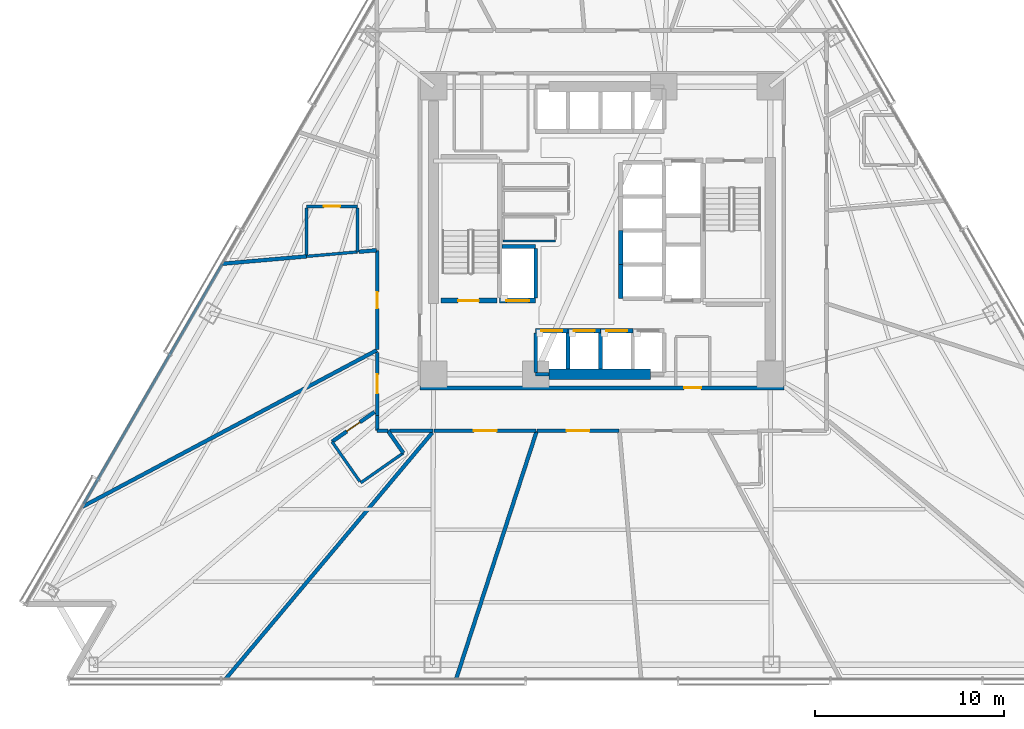
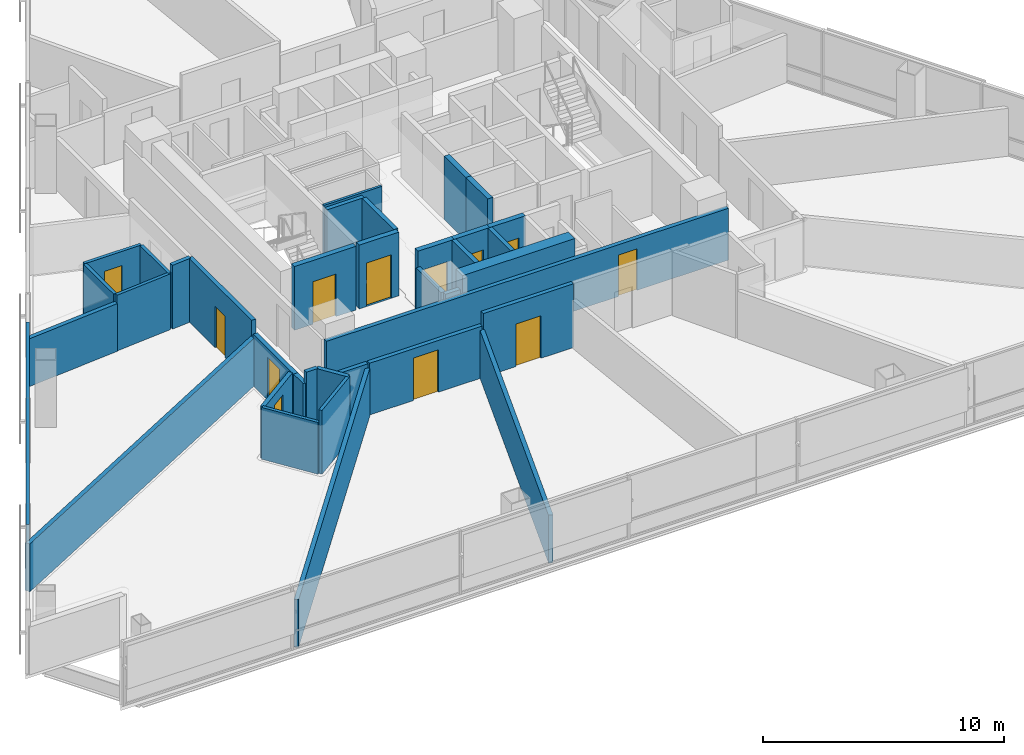
# One storey, part 7 of 18: 37 walls, 12 doors, 12 openings.
"""IFC4 building model written with IfcOpenShell, lengths in metres."""

from ifc_helpers import new_model, si_unit, direction, frame, frame_2d, origin, place, context, subcontext, project, spatial, rectangle, extrude, material, layer, layer_set, type_object, element, fill, save


model = new_model("IFC4")

# Units and contexts
model_context = context("Model", 3, precision=1e-05, world=origin(), true_north=direction((0.0, 1.0)))
body_context = subcontext(model_context, "Body", "Model", "MODEL_VIEW")
ifc_project = project(units=[si_unit("LENGTHUNIT", "METRE"), si_unit("AREAUNIT", "SQUARE_METRE"), si_unit("VOLUMEUNIT", "CUBIC_METRE"), si_unit("PLANEANGLEUNIT", "RADIAN"), si_unit("MASSUNIT", "GRAM", prefix="KILO")], contexts=[model_context])

# Site, building, storey
site_placement = place(None, origin())
site = spatial("IfcSite", under=ifc_project, at=site_placement, CompositionType="ELEMENT")
building_placement = place(site_placement, origin())
building = spatial("IfcBuilding", under=site, at=building_placement, Name="Tharavind Bronze Gate", CompositionType="ELEMENT")
storey_placement = place(building_placement, frame((0.0, 0.0, 38.64990234375)))
storey = spatial("IfcBuildingStorey", under=building, at=storey_placement, Name="L08", CompositionType="ELEMENT", Elevation=38.64990234375)

# Wall, opening, door
ifc_material_1 = material(Name="Aerated Concrete Block", Category="concrete")
ifc_layer_1 = layer(ifc_material_1, 0.199951171875)
ifc_layer_set_1 = layer_set([ifc_layer_1], Name="Aerated Concrete Block")
wall_type_1 = type_object("IfcWallType", Name="FIRE RATED PARTITION 200", PredefinedType="PARTITIONING", material=ifc_layer_set_1)
wall_1_placement = place(storey_placement, frame((-9.6201171875, -8.320068359375, 0.0), z_axis=(0.0, 0.0, 1.0), x_axis=(1.0, 0.0, 0.0)))
wall_1 = element("IfcWall", 1, at=wall_1_placement, inside=storey, type_object=wall_type_1, Name="L08 south core corridor wall", PredefinedType="PARTITIONING", context=body_context, shape_type="SweptSolid", body=[
    extrude(rectangle(XDim=19.240234375, YDim=0.199951171875, at=frame_2d((9.6201171875, 0.0))), origin(), (0.0, 0.0, 1.0), 2.6201171875),
])
opening_1_placement = place(wall_1_placement, frame((13.969970703125, 0.0, 0.0)))
opening_1 = element("IfcOpeningElement", 2, at=opening_1_placement, cuts=wall_1, Name="Opening ID07", PredefinedType="OPENING", context=body_context, shape_type="SweptSolid", body=[
    extrude(rectangle(XDim=0.89990234375, YDim=2.10009765625, at=frame_2d((0.449951171875, 1.050048828125))), frame((0.0, 0.11009765625, 0.0), z_axis=(0.0, -1.0, 0.0), x_axis=(1.0, 0.0, 0.0)), (0.0, 0.0, 1.0), 0.219951171875),
])
ifc_material_2 = material(Name="Galvanised Fire Steel", Category="steel")
door_type_1 = type_object("IfcDoorType", Name="PLANT AND RISER FIRE DOOR 900X2100", OperationType="SINGLE_SWING_LEFT", PredefinedType="DOOR", material=ifc_material_2)
door_1_placement = place(opening_1_placement, frame((0.89990234375, 0.0, 0.0), z_axis=(0.0, 0.0, 1.0), x_axis=(-1.0, 0.0, 0.0)))
door_1 = element("IfcDoor", 3, at=door_1_placement, inside=storey, type_object=door_type_1, Name="L08 Janitor Store Cupboard fire door", OperationType="SINGLE_SWING_LEFT", OverallHeight=2.10009765625, OverallWidth=0.89990234375, PredefinedType="DOOR", context=body_context, shape_type="SweptSolid", body=[
    extrude(rectangle(XDim=0.89990234375, YDim=2.10009765625, at=frame_2d((0.449951171875, 1.050048828125))), frame((0.0, 0.02490234375, 0.0), z_axis=(0.0, -1.0, 0.0), x_axis=(1.0, 0.0, 0.0)), (0.0, 0.0, 1.0), 0.050048828125),
])
fill(opening_1, door_1)

# Walls
wall_2_placement = place(storey_placement, frame((-11.8798828125, -9.779541015625, 0.0), z_axis=(0.0, 0.0, 1.0), x_axis=(0.0, -1.0, 0.0)))
element("IfcWall", 4, at=wall_2_placement, inside=storey, type_object=wall_type_1, Name="L08 En-Suite Bathroom partition", PredefinedType="PARTITIONING", context=body_context, shape_type="SweptSolid", body=[
    extrude(rectangle(XDim=0.7998046875, YDim=0.199951171875, at=frame_2d((0.39990234375, 0.0))), origin(), (0.0, 0.0, 1.0), 2.6201171875),
])
wall_3_placement = place(storey_placement, frame((-11.87939453125, -10.580078125, 0.0), z_axis=(0.0, 0.0, 1.0), x_axis=(1.0, 0.0, 0.0)))
element("IfcWall", 5, at=wall_3_placement, inside=storey, type_object=wall_type_1, Name="L08 En-Suite Bathroom partition", PredefinedType="PARTITIONING", context=body_context, shape_type="SweptSolid", body=[
    extrude(rectangle(XDim=0.559326171875, YDim=0.199951171875, at=frame_2d((0.27978515625, 0.0))), origin(), (0.0, 0.0, 1.0), 3.22509765625),
])
wall_4_placement = place(storey_placement, frame((-11.320068359375, -10.580078125, 0.0), z_axis=(0.0, 0.0, 1.0), x_axis=(0.573177949093, -0.819430923674, 0.0)))
element("IfcWall", 6, at=wall_4_placement, inside=storey, type_object=wall_type_1, Name="L08 En-Suite Bathroom partition", PredefinedType="PARTITIONING", context=body_context, shape_type="SweptSolid", body=[
    extrude(rectangle(XDim=1.4404296875, YDim=0.199951171875, at=frame_2d((0.72021484375, 0.0))), origin(), (0.0, 0.0, 1.0), 3.22509765625),
])

# Wall, opening, door
wall_5_placement = place(storey_placement, frame((-14.2666015625, -11.165283203125, 0.0), z_axis=(0.0, 0.0, 1.0), x_axis=(0.81944041023, 0.573164386614, 0.0)))
wall_5 = element("IfcWall", 7, at=wall_5_placement, inside=storey, type_object=wall_type_1, Name="L08 En-Suite Bathroom partition", PredefinedType="PARTITIONING", context=body_context, shape_type="SweptSolid", body=[
    extrude(rectangle(XDim=2.75, YDim=0.199951171875, at=frame_2d((1.375, 0.0))), origin(), (0.0, 0.0, 1.0), 2.6201171875),
])
opening_2_placement = place(wall_5_placement, frame((0.949951171875, 0.0, 0.0)))
opening_2 = element("IfcOpeningElement", 8, at=opening_2_placement, cuts=wall_5, Name="Opening ID06", PredefinedType="OPENING", context=body_context, shape_type="SweptSolid", body=[
    extrude(rectangle(XDim=0.85009765625, YDim=2.10009765625, at=frame_2d((0.425048828125, 1.050048828125))), frame((0.0, 0.11009765625, 0.0), z_axis=(0.0, -1.0, 0.0), x_axis=(1.0, 0.0, 0.0)), (0.0, 0.0, 1.0), 0.219951171875),
])
ifc_material_3 = material(Name="Moisture-Resistant Timber", Category="wood")
door_type_2 = type_object("IfcDoorType", Name="BATHROOM PRIVACY DOOR 850X2100", OperationType="SINGLE_SWING_RIGHT", PredefinedType="DOOR", material=ifc_material_3)
door_2_placement = place(opening_2_placement, origin())
door_2 = element("IfcDoor", 9, at=door_2_placement, inside=storey, type_object=door_type_2, Name="L08 En-Suite Bathroom door", OperationType="SINGLE_SWING_RIGHT", OverallHeight=2.10009765625, OverallWidth=0.85009765625, PredefinedType="DOOR", context=body_context, shape_type="SweptSolid", body=[
    extrude(rectangle(XDim=0.85009765625, YDim=2.10009765625, at=frame_2d((0.425048828125, 1.050048828125))), frame((0.0, 0.02490234375, 0.0), z_axis=(0.0, -1.0, 0.0), x_axis=(1.0, 0.0, 0.0)), (0.0, 0.0, 1.0), 0.050048828125),
])
fill(opening_2, door_2)

# Walls
wall_6_placement = place(storey_placement, frame((-20.05322265625, -1.75439453125, 0.0), z_axis=(0.0, 0.0, 1.0), x_axis=(0.99619520471, 0.087149951884, 0.0)))
element("IfcWall", 10, at=wall_6_placement, inside=storey, type_object=wall_type_1, Name="L08 Public Restrooms Block partition", PredefinedType="PARTITIONING", context=body_context, shape_type="SweptSolid", body=[
    extrude(rectangle(XDim=4.4541015625, YDim=0.199951171875, at=frame_2d((2.22705078125, 0.0))), origin(), (0.0, 0.0, 1.0), 2.420166015625),
])
wall_7_placement = place(storey_placement, frame((-12.8359375, -1.123046875, 0.0), z_axis=(0.0, 0.0, 1.0), x_axis=(0.996190305678, 0.087205933699, 0.0)))
element("IfcWall", 11, at=wall_7_placement, inside=storey, type_object=wall_type_1, Name="L08 Public Restrooms Block partition", PredefinedType="PARTITIONING", context=body_context, shape_type="SweptSolid", body=[
    extrude(rectangle(XDim=0.932373046875, YDim=0.199951171875, at=frame_2d((0.46630859375, 0.0))), origin(), (0.0, 0.0, 1.0), 3.22509765625),
])

# Wall, opening, door
wall_8_placement = place(storey_placement, frame((-11.8798828125, -1.066650390625, 0.0), z_axis=(0.0, 0.0, 1.0), x_axis=(0.0, -1.0, 0.0)))
wall_8 = element("IfcWall", 12, at=wall_8_placement, inside=storey, type_object=wall_type_1, Name="L08 Public Restrooms Block partition", PredefinedType="PARTITIONING", context=body_context, shape_type="SweptSolid", body=[
    extrude(rectangle(XDim=5.235107421875, YDim=0.199951171875, at=frame_2d((2.61767578125, 0.0))), origin(), (0.0, 0.0, 1.0), 3.22509765625),
])
opening_3_placement = place(wall_8_placement, frame((2.193115234375, 0.0, 0.0)))
opening_3 = element("IfcOpeningElement", 13, at=opening_3_placement, cuts=wall_8, Name="Opening ID06", PredefinedType="OPENING", context=body_context, shape_type="SweptSolid", body=[
    extrude(rectangle(XDim=0.85009765625, YDim=2.10009765625, at=frame_2d((0.425048828125, 1.050048828125))), frame((0.0, 0.11009765625, 0.0), z_axis=(0.0, -1.0, 0.0), x_axis=(1.0, 0.0, 0.0)), (0.0, 0.0, 1.0), 0.219951171875),
])
door_3_placement = place(opening_3_placement, origin())
door_3 = element("IfcDoor", 14, at=door_3_placement, inside=storey, type_object=door_type_2, Name="L08 Public Restrooms Block door", OperationType="SINGLE_SWING_RIGHT", OverallHeight=2.10009765625, OverallWidth=0.85009765625, PredefinedType="DOOR", context=body_context, shape_type="SweptSolid", body=[
    extrude(rectangle(XDim=0.85009765625, YDim=2.10009765625, at=frame_2d((0.425048828125, 1.050048828125))), frame((0.0, 0.02490234375, 0.0), z_axis=(0.0, -1.0, 0.0), x_axis=(1.0, 0.0, 0.0)), (0.0, 0.0, 1.0), 0.050048828125),
])
fill(opening_3, door_3)

# Wall
wall_9_placement = place(storey_placement, frame((-11.893310546875, -6.32373046875, 0.0), z_axis=(0.0, 0.0, 1.0), x_axis=(-0.882944790092, -0.469476833985, 0.0)))
element("IfcWall", 15, at=wall_9_placement, inside=storey, type_object=wall_type_1, Name="L08 Public Restrooms Block partition", PredefinedType="PARTITIONING", context=body_context, shape_type="SweptSolid", body=[
    extrude(rectangle(XDim=17.6669921875, YDim=0.199951171875, at=frame_2d((8.83349609375, 0.0))), origin(), (0.0, 0.0, 1.0), 2.420166015625),
])

# Wall, opening, door
wall_10_placement = place(storey_placement, frame((-11.8798828125, -6.435546875, 0.0), z_axis=(0.0, 0.0, 1.0), x_axis=(0.0, -1.0, 0.0)))
wall_10 = element("IfcWall", 16, at=wall_10_placement, inside=storey, type_object=wall_type_1, Name="L08 Deluxe Hotel Suite partition", PredefinedType="PARTITIONING", context=body_context, shape_type="SweptSolid", body=[
    extrude(rectangle(XDim=3.343994140625, YDim=0.199951171875, at=frame_2d((1.671875, 0.0))), origin(), (0.0, 0.0, 1.0), 2.6201171875),
])
opening_4_placement = place(wall_10_placement, frame((1.172119140625, 0.0, 0.0)))
opening_4 = element("IfcOpeningElement", 17, at=opening_4_placement, cuts=wall_10, Name="Opening ID03", PredefinedType="OPENING", context=body_context, shape_type="SweptSolid", body=[
    extrude(rectangle(XDim=1.0, YDim=2.14990234375, at=frame_2d((0.5, 1.074951171875))), frame((0.0, 0.11009765625, 0.0), z_axis=(0.0, -1.0, 0.0), x_axis=(1.0, 0.0, 0.0)), (0.0, 0.0, 1.0), 0.219951171875),
])
ifc_material_4 = material(Name="Solid Timber Veneer", Category="wood")
door_type_3 = type_object("IfcDoorType", Name="HOTEL SUITE ENTRANCE DOOR 1000X2150", OperationType="SINGLE_SWING_LEFT", PredefinedType="DOOR", material=ifc_material_4)
door_4_placement = place(opening_4_placement, origin())
door_4 = element("IfcDoor", 18, at=door_4_placement, inside=storey, type_object=door_type_3, Name="L08 Deluxe Hotel Suite door", OperationType="SINGLE_SWING_LEFT", OverallHeight=2.14990234375, OverallWidth=1.0, PredefinedType="DOOR", context=body_context, shape_type="SweptSolid", body=[
    extrude(rectangle(XDim=1.0, YDim=2.14990234375, at=frame_2d((0.5, 1.074951171875))), frame((0.0, 0.02490234375, 0.0), z_axis=(0.0, -1.0, 0.0), x_axis=(1.0, 0.0, 0.0)), (0.0, 0.0, 1.0), 0.050048828125),
])
fill(opening_4, door_4)

# Walls
wall_11_placement = place(storey_placement, frame((-11.19189453125, -10.580078125, 0.0), z_axis=(0.0, 0.0, 1.0), x_axis=(1.0, 0.0, 0.0)))
element("IfcWall", 19, at=wall_11_placement, inside=storey, type_object=wall_type_1, Name="L08 Deluxe Hotel Suite partition", PredefinedType="PARTITIONING", context=body_context, shape_type="SweptSolid", body=[
    extrude(rectangle(XDim=2.260498046875, YDim=0.199951171875, at=frame_2d((1.13037109375, 0.0))), origin(), (0.0, 0.0, 1.0), 2.6201171875),
])
wall_12_placement = place(storey_placement, frame((-8.9658203125, -10.68505859375, 0.0), z_axis=(0.0, 0.0, 1.0), x_axis=(-0.642784617016, -0.766046954258, 0.0)))
element("IfcWall", 20, at=wall_12_placement, inside=storey, type_object=wall_type_1, Name="L08 Deluxe Hotel Suite partition", PredefinedType="PARTITIONING", context=body_context, shape_type="SweptSolid", body=[
    extrude(rectangle(XDim=16.978271484375, YDim=0.199951171875, at=frame_2d((8.4892578125, 0.0))), origin(), (0.0, 0.0, 1.0), 2.420166015625),
])

# Wall, opening, door
wall_13_placement = place(storey_placement, frame((-8.865966796875, -10.580078125, 0.0), z_axis=(0.0, 0.0, 1.0), x_axis=(1.0, 0.0, 0.0)))
wall_13 = element("IfcWall", 21, at=wall_13_placement, inside=storey, type_object=wall_type_1, Name="L08 Hotel Guest Lounge partition", PredefinedType="PARTITIONING", context=body_context, shape_type="SweptSolid", body=[
    extrude(rectangle(XDim=5.393798828125, YDim=0.199951171875, at=frame_2d((2.69677734375, 0.0))), origin(), (0.0, 0.0, 1.0), 2.6201171875),
])
opening_5_placement = place(wall_13_placement, frame((2.096923828125, 0.0, 0.0)))
opening_5 = element("IfcOpeningElement", 22, at=opening_5_placement, cuts=wall_13, Name="Opening ID05", PredefinedType="OPENING", context=body_context, shape_type="SweptSolid", body=[
    extrude(rectangle(XDim=1.199951171875, YDim=2.14990234375, at=frame_2d((0.60009765625, 1.074951171875))), frame((0.0, 0.11009765625, 0.0), z_axis=(0.0, -1.0, 0.0), x_axis=(1.0, 0.0, 0.0)), (0.0, 0.0, 1.0), 0.219951171875),
])
ifc_material_5 = material(Name="Acoustic Laminated Glass", Category="glass")
door_type_4 = type_object("IfcDoorType", Name="MEETING ROOM GLAZED DOOR 1200X2150", OperationType="SINGLE_SWING_LEFT", PredefinedType="DOOR", material=ifc_material_5)
door_5_placement = place(opening_5_placement, origin())
door_5 = element("IfcDoor", 23, at=door_5_placement, inside=storey, type_object=door_type_4, Name="L08 Hotel Guest Lounge door", OperationType="SINGLE_SWING_LEFT", OverallHeight=2.14990234375, OverallWidth=1.199951171875, PredefinedType="DOOR", context=body_context, shape_type="SweptSolid", body=[
    extrude(rectangle(XDim=1.199951171875, YDim=2.14990234375, at=frame_2d((0.60009765625, 1.074951171875))), frame((0.0, 0.02490234375, 0.0), z_axis=(0.0, -1.0, 0.0), x_axis=(1.0, 0.0, 0.0)), (0.0, 0.0, 1.0), 0.050048828125),
])
fill(opening_5, door_5)

# Wall
wall_14_placement = place(storey_placement, frame((-3.4482421875, -10.61279296875, 0.0), z_axis=(0.0, 0.0, 1.0), x_axis=(-0.309029029702, -0.951052605696, 0.0)))
element("IfcWall", 24, at=wall_14_placement, inside=storey, type_object=wall_type_1, Name="L08 Hotel Guest Lounge partition", PredefinedType="PARTITIONING", context=body_context, shape_type="SweptSolid", body=[
    extrude(rectangle(XDim=13.742431640625, YDim=0.199951171875, at=frame_2d((6.87109375, 0.0))), origin(), (0.0, 0.0, 1.0), 2.420166015625),
])

# Wall, opening, door
wall_15_placement = place(storey_placement, frame((-3.41943359375, -10.580078125, 0.0), z_axis=(0.0, 0.0, 1.0), x_axis=(1.0, 0.0, 0.0)))
wall_15 = element("IfcWall", 25, at=wall_15_placement, inside=storey, type_object=wall_type_1, Name="L08 Hotel Guest Lounge partition", PredefinedType="PARTITIONING", context=body_context, shape_type="SweptSolid", body=[
    extrude(rectangle(XDim=4.322021484375, YDim=0.199951171875, at=frame_2d((2.1611328125, 0.0))), origin(), (0.0, 0.0, 1.0), 3.22509765625),
])
opening_6_placement = place(wall_15_placement, frame((1.56103515625, 0.0, 0.0)))
opening_6 = element("IfcOpeningElement", 26, at=opening_6_placement, cuts=wall_15, Name="Opening ID05", PredefinedType="OPENING", context=body_context, shape_type="SweptSolid", body=[
    extrude(rectangle(XDim=1.199951171875, YDim=2.14990234375, at=frame_2d((0.60009765625, 1.074951171875))), frame((0.0, 0.11009765625, 0.0), z_axis=(0.0, -1.0, 0.0), x_axis=(1.0, 0.0, 0.0)), (0.0, 0.0, 1.0), 0.219951171875),
])
door_6_placement = place(opening_6_placement, origin())
door_6 = element("IfcDoor", 27, at=door_6_placement, inside=storey, type_object=door_type_4, Name="L08 Hotel Guest Lounge door", OperationType="SINGLE_SWING_LEFT", OverallHeight=2.14990234375, OverallWidth=1.199951171875, PredefinedType="DOOR", context=body_context, shape_type="SweptSolid", body=[
    extrude(rectangle(XDim=1.199951171875, YDim=2.14990234375, at=frame_2d((0.60009765625, 1.074951171875))), frame((0.0, 0.02490234375, 0.0), z_axis=(0.0, -1.0, 0.0), x_axis=(1.0, 0.0, 0.0)), (0.0, 0.0, 1.0), 0.050048828125),
])
fill(opening_6, door_6)

# Wall
ifc_material_6 = material(Name="Metal Stud Gypsum Partition", Category="gypsum")
ifc_layer_2 = layer(ifc_material_6, 0.1201171875)
ifc_layer_set_2 = layer_set([ifc_layer_2], Name="Metal Stud Gypsum Partition")
wall_type_2 = type_object("IfcWallType", Name="INTERIOR PARTITION WALL 120", PredefinedType="PARTITIONING", material=ifc_layer_set_2)
wall_16_placement = place(storey_placement, frame((-5.219970703125, -0.550048828125, 0.0), z_axis=(0.0, 0.0, 1.0), x_axis=(1.0, 0.0, 0.0)))
element("IfcWall", 28, at=wall_16_placement, inside=storey, type_object=wall_type_2, Name="L08 Electrical Metering Store partition 1", PredefinedType="PARTITIONING", context=body_context, shape_type="SweptSolid", body=[
    extrude(rectangle(XDim=2.77001953125, YDim=0.1201171875, at=frame_2d((1.385009765625, 0.0))), origin(), (0.0, 0.0, 1.0), 3.22509765625),
])

# Wall, opening, door
ifc_material_7 = material(Name="Twin Stud Acoustic Gypsum", Category="gypsum")
ifc_layer_3 = layer(ifc_material_7, 0.14990234375)
ifc_layer_set_3 = layer_set([ifc_layer_3], Name="Twin Stud Acoustic Gypsum")
wall_type_3 = type_object("IfcWallType", Name="INTERIOR PARTITION WALL 150", PredefinedType="PARTITIONING", material=ifc_layer_set_3)
wall_17_placement = place(storey_placement, frame((-15.615966796875, 1.278076171875, 0.0), z_axis=(0.0, 0.0, 1.0), x_axis=(1.0, 0.0, 0.0)))
wall_17 = element("IfcWall", 29, at=wall_17_placement, inside=storey, type_object=wall_type_3, Name="L08 En-Suite Bathroom partition", PredefinedType="PARTITIONING", context=body_context, shape_type="SweptSolid", body=[
    extrude(rectangle(XDim=2.699951171875, YDim=0.14990234375, at=frame_2d((1.35009765625, 0.0))), origin(), (0.0, 0.0, 1.0), 2.820068359375),
])
opening_7_placement = place(wall_17_placement, frame((0.925048828125, 0.0, 0.0)))
opening_7 = element("IfcOpeningElement", 30, at=opening_7_placement, cuts=wall_17, Name="Opening ID06", PredefinedType="OPENING", context=body_context, shape_type="SweptSolid", body=[
    extrude(rectangle(XDim=0.85009765625, YDim=2.10009765625, at=frame_2d((0.425048828125, 1.050048828125))), frame((0.0, 0.084951171875, 0.0), z_axis=(0.0, -1.0, 0.0), x_axis=(1.0, 0.0, 0.0)), (0.0, 0.0, 1.0), 0.16990234375),
])
door_7_placement = place(opening_7_placement, origin())
door_7 = element("IfcDoor", 31, at=door_7_placement, inside=storey, type_object=door_type_2, Name="L08 En-Suite Bathroom door", OperationType="SINGLE_SWING_RIGHT", OverallHeight=2.10009765625, OverallWidth=0.85009765625, PredefinedType="DOOR", context=body_context, shape_type="SweptSolid", body=[
    extrude(rectangle(XDim=0.85009765625, YDim=2.10009765625, at=frame_2d((0.425048828125, 1.050048828125))), frame((0.0, 0.02490234375, 0.0), z_axis=(0.0, -1.0, 0.0), x_axis=(1.0, 0.0, 0.0)), (0.0, 0.0, 1.0), 0.050048828125),
])
fill(opening_7, door_7)

# Walls
wall_18_placement = place(storey_placement, frame((-12.916015625, 1.197998046875, 0.0), z_axis=(0.0, 0.0, 1.0), x_axis=(0.0, -1.0, 0.0)))
element("IfcWall", 32, at=wall_18_placement, inside=storey, type_object=wall_type_3, Name="L08 En-Suite Bathroom partition", PredefinedType="PARTITIONING", context=body_context, shape_type="SweptSolid", body=[
    extrude(rectangle(XDim=2.327880859375, YDim=0.14990234375, at=frame_2d((1.1640625, 0.0))), origin(), (0.0, 0.0, 1.0), 2.820068359375),
])
wall_19_placement = place(storey_placement, frame((-12.916015625, -1.1298828125, 0.0), z_axis=(0.0, 0.0, 1.0), x_axis=(-0.996191077086, -0.087197121134, 0.0)))
element("IfcWall", 33, at=wall_19_placement, inside=storey, type_object=wall_type_3, Name="L08 En-Suite Bathroom partition", PredefinedType="PARTITIONING", context=body_context, shape_type="SweptSolid", body=[
    extrude(rectangle(XDim=2.710205078125, YDim=0.14990234375, at=frame_2d((1.35498046875, 0.0))), origin(), (0.0, 0.0, 1.0), 2.820068359375),
])
wall_20_placement = place(storey_placement, frame((-15.615966796875, -1.285888671875, 0.0), z_axis=(0.0, 0.0, 1.0), x_axis=(0.0, 1.0, 0.0)))
element("IfcWall", 34, at=wall_20_placement, inside=storey, type_object=wall_type_3, Name="L08 En-Suite Bathroom partition", PredefinedType="PARTITIONING", context=body_context, shape_type="SweptSolid", body=[
    extrude(rectangle(XDim=2.48388671875, YDim=0.14990234375, at=frame_2d((1.241943359375, 0.0))), origin(), (0.0, 0.0, 1.0), 2.820068359375),
])
wall_21_placement = place(storey_placement, frame((-10.494384765625, -11.760498046875, 0.0), z_axis=(0.0, 0.0, 1.0), x_axis=(-0.819398712469, -0.573223996361, 0.0)))
element("IfcWall", 35, at=wall_21_placement, inside=storey, type_object=wall_type_3, Name="L08 En-Suite Bathroom partition", PredefinedType="PARTITIONING", context=body_context, shape_type="SweptSolid", body=[
    extrude(rectangle(XDim=2.75, YDim=0.14990234375, at=frame_2d((1.375, 0.0))), origin(), (0.0, 0.0, 1.0), 3.22509765625),
])
wall_22_placement = place(storey_placement, frame((-12.793701171875, -13.271240234375, 0.0), z_axis=(0.0, 0.0, 1.0), x_axis=(-0.573130756233, 0.819463932251, 0.0)))
element("IfcWall", 36, at=wall_22_placement, inside=storey, type_object=wall_type_3, Name="L08 En-Suite Bathroom partition", PredefinedType="PARTITIONING", context=body_context, shape_type="SweptSolid", body=[
    extrude(rectangle(XDim=2.56982421875, YDim=0.14990234375, at=frame_2d((1.284912109375, 0.0))), origin(), (0.0, 0.0, 1.0), 2.6201171875),
])
wall_23_placement = place(storey_placement, frame((-27.393310546875, -14.4462890625, 0.0), z_axis=(0.0, 0.0, 1.0), x_axis=(0.500003924108, 0.866023138188, 0.0)))
element("IfcWall", 37, at=wall_23_placement, inside=storey, type_object=wall_type_3, Name="L08 Public Restrooms Block partition", PredefinedType="PARTITIONING", context=body_context, shape_type="SweptSolid", body=[
    extrude(rectangle(XDim=14.64111328125, YDim=0.14990234375, at=frame_2d((7.320556640625, 0.0))), origin(), (0.0, 0.0, 1.0), 3.22509765625),
])

# Wall, opening, door
ifc_material_8 = material(Name="Concrete C50/60", Category="concrete")
ifc_layer_4 = layer(ifc_material_8, 0.25)
ifc_layer_set_4 = layer_set([ifc_layer_4], Name="Concrete C50/60")
wall_type_4 = type_object("IfcWallType", Name="RC CORE SHEAR WALL 250", PredefinedType="SHEAR", material=ifc_layer_set_4)
wall_24_placement = place(storey_placement, frame((-8.5, -3.699951171875, 0.0), z_axis=(0.0, 0.0, 1.0), x_axis=(1.0, 0.0, 0.0)))
wall_24 = element("IfcWall", 38, at=wall_24_placement, inside=storey, type_object=wall_type_4, Name="L08 ST1 shaft south wall", PredefinedType="SHEAR", context=body_context, shape_type="SweptSolid", body=[
    extrude(rectangle(XDim=2.949951171875, YDim=0.25, at=frame_2d((1.47509765625, 0.0))), origin(), (0.0, 0.0, 1.0), 3.22509765625),
])
opening_8_placement = place(wall_24_placement, frame((0.89990234375, 0.0, 0.0)))
opening_8 = element("IfcOpeningElement", 39, at=opening_8_placement, cuts=wall_24, Name="Opening ID01", PredefinedType="OPENING", context=body_context, shape_type="SweptSolid", body=[
    extrude(rectangle(XDim=1.10009765625, YDim=2.14990234375, at=frame_2d((0.550048828125, 1.074951171875))), frame((0.0, 0.135, 0.0), z_axis=(0.0, -1.0, 0.0), x_axis=(1.0, 0.0, 0.0)), (0.0, 0.0, 1.0), 0.27),
])
ifc_material_9 = material(Name="Fire-Rated Steel", Category="steel")
door_type_5 = type_object("IfcDoorType", Name="STAIR CORE FIRE DOOR 1100X2150", OperationType="SINGLE_SWING_LEFT", PredefinedType="DOOR", material=ifc_material_9)
door_8_placement = place(opening_8_placement, origin())
door_8 = element("IfcDoor", 40, at=door_8_placement, inside=storey, type_object=door_type_5, Name="L08 exit stair ST1 fire door", OperationType="SINGLE_SWING_LEFT", OverallHeight=2.14990234375, OverallWidth=1.10009765625, PredefinedType="DOOR", context=body_context, shape_type="SweptSolid", body=[
    extrude(rectangle(XDim=1.10009765625, YDim=2.14990234375, at=frame_2d((0.550048828125, 1.074951171875))), frame((0.0, 0.02490234375, 0.0), z_axis=(0.0, -1.0, 0.0), x_axis=(1.0, 0.0, 0.0)), (0.0, 0.0, 1.0), 0.050048828125),
])
fill(opening_8, door_8)

wall_25_placement = place(storey_placement, frame((-3.5, -5.300048828125, 0.0), z_axis=(0.0, 0.0, 1.0), x_axis=(1.0, 0.0, 0.0)))
wall_25 = element("IfcWall", 41, at=wall_25_placement, inside=storey, type_object=wall_type_4, Name="L08 lift PL1 shaft front wall", PredefinedType="SHEAR", context=body_context, shape_type="SweptSolid", body=[
    extrude(rectangle(XDim=1.71240234375, YDim=0.25, at=frame_2d((0.856201171875, 0.0))), origin(), (0.0, 0.0, 1.0), 3.22509765625),
])
opening_9_placement = place(wall_25_placement, frame((0.305908203125, 0.0, 0.0)))
opening_9 = element("IfcOpeningElement", 42, at=opening_9_placement, cuts=wall_25, Name="Opening LD01", PredefinedType="OPENING", context=body_context, shape_type="SweptSolid", body=[
    extrude(rectangle(XDim=1.10009765625, YDim=2.199951171875, at=frame_2d((0.550048828125, 1.10009765625))), frame((0.0, 0.135, 0.0), z_axis=(0.0, -1.0, 0.0), x_axis=(1.0, 0.0, 0.0)), (0.0, 0.0, 1.0), 0.27),
])
ifc_material_10 = material(Name="Brushed Bronze Stainless Steel", Category="steel")
door_type_6 = type_object("IfcDoorType", Name="LIFT LANDING SLIDING DOOR 1100X2200", OperationType="SLIDING_TO_LEFT", PredefinedType="DOOR", material=ifc_material_10)
door_9_placement = place(opening_9_placement, origin())
door_9 = element("IfcDoor", 43, at=door_9_placement, inside=storey, type_object=door_type_6, Name="L08 lift PL1 sliding landing door", OperationType="SLIDING_TO_LEFT", OverallHeight=2.199951171875, OverallWidth=1.10009765625, PredefinedType="DOOR", context=body_context, shape_type="SweptSolid", body=[
    extrude(rectangle(XDim=1.10009765625, YDim=2.199951171875, at=frame_2d((0.550048828125, 1.10009765625))), frame((0.0, 0.02490234375, 0.0), z_axis=(0.0, -1.0, 0.0), x_axis=(1.0, 0.0, 0.0)), (0.0, 0.0, 1.0), 0.050048828125),
])
fill(opening_9, door_9)

wall_26_placement = place(storey_placement, frame((-1.78759765625, -5.300048828125, 0.0), z_axis=(0.0, 0.0, 1.0), x_axis=(1.0, 0.0, 0.0)))
wall_26 = element("IfcWall", 44, at=wall_26_placement, inside=storey, type_object=wall_type_4, Name="L08 lift PL2 shaft front wall", PredefinedType="SHEAR", context=body_context, shape_type="SweptSolid", body=[
    extrude(rectangle(XDim=1.712646484375, YDim=0.25, at=frame_2d((0.8564453125, 0.0))), origin(), (0.0, 0.0, 1.0), 3.22509765625),
])
opening_10_placement = place(wall_26_placement, frame((0.305908203125, 0.0, 0.0)))
opening_10 = element("IfcOpeningElement", 45, at=opening_10_placement, cuts=wall_26, Name="Opening LD01", PredefinedType="OPENING", context=body_context, shape_type="SweptSolid", body=[
    extrude(rectangle(XDim=1.10009765625, YDim=2.199951171875, at=frame_2d((0.550048828125, 1.10009765625))), frame((0.0, 0.135, 0.0), z_axis=(0.0, -1.0, 0.0), x_axis=(1.0, 0.0, 0.0)), (0.0, 0.0, 1.0), 0.27),
])
door_10_placement = place(opening_10_placement, origin())
door_10 = element("IfcDoor", 46, at=door_10_placement, inside=storey, type_object=door_type_6, Name="L08 lift PL2 sliding landing door", OperationType="SLIDING_TO_LEFT", OverallHeight=2.199951171875, OverallWidth=1.10009765625, PredefinedType="DOOR", context=body_context, shape_type="SweptSolid", body=[
    extrude(rectangle(XDim=1.10009765625, YDim=2.199951171875, at=frame_2d((0.550048828125, 1.10009765625))), frame((0.0, 0.02490234375, 0.0), z_axis=(0.0, -1.0, 0.0), x_axis=(1.0, 0.0, 0.0)), (0.0, 0.0, 1.0), 0.050048828125),
])
fill(opening_10, door_10)

wall_27_placement = place(storey_placement, frame((-0.074951171875, -5.300048828125, 0.0), z_axis=(0.0, 0.0, 1.0), x_axis=(1.0, 0.0, 0.0)))
wall_27 = element("IfcWall", 47, at=wall_27_placement, inside=storey, type_object=wall_type_4, Name="L08 lift PL3 shaft front wall", PredefinedType="SHEAR", context=body_context, shape_type="SweptSolid", body=[
    extrude(rectangle(XDim=1.71240234375, YDim=0.25, at=frame_2d((0.856201171875, 0.0))), origin(), (0.0, 0.0, 1.0), 3.22509765625),
])
opening_11_placement = place(wall_27_placement, frame((0.305908203125, 0.0, 0.0)))
opening_11 = element("IfcOpeningElement", 48, at=opening_11_placement, cuts=wall_27, Name="Opening LD01", PredefinedType="OPENING", context=body_context, shape_type="SweptSolid", body=[
    extrude(rectangle(XDim=1.10009765625, YDim=2.199951171875, at=frame_2d((0.550048828125, 1.10009765625))), frame((0.0, 0.135, 0.0), z_axis=(0.0, -1.0, 0.0), x_axis=(1.0, 0.0, 0.0)), (0.0, 0.0, 1.0), 0.27),
])
door_11_placement = place(opening_11_placement, origin())
door_11 = element("IfcDoor", 49, at=door_11_placement, inside=storey, type_object=door_type_6, Name="L08 lift PL3 sliding landing door", OperationType="SLIDING_TO_LEFT", OverallHeight=2.199951171875, OverallWidth=1.10009765625, PredefinedType="DOOR", context=body_context, shape_type="SweptSolid", body=[
    extrude(rectangle(XDim=1.10009765625, YDim=2.199951171875, at=frame_2d((0.550048828125, 1.10009765625))), frame((0.0, 0.02490234375, 0.0), z_axis=(0.0, -1.0, 0.0), x_axis=(1.0, 0.0, 0.0)), (0.0, 0.0, 1.0), 0.050048828125),
])
fill(opening_11, door_11)

# Walls
for number, where, z_axis, x_axis, name in (
    (50, (1.0, -3.60009765625, 0.0), (0.0, 0.0, 1.0), (0.0, 1.0, 0.0), "L08 lift PL9 shaft front wall"),
    (51, (1.0, -1.800048828125, 0.0), (0.0, 0.0, 1.0), (0.0, 1.0, 0.0), "L08 lift PL10 shaft front wall"),
):
    element("IfcWall", number, at=place(storey_placement, frame(where, z_axis=z_axis, x_axis=x_axis)), inside=storey, type_object=wall_type_4, Name=name, PredefinedType="SHEAR", context=body_context, shape_type="SweptSolid", body=[
        extrude(rectangle(XDim=1.800048828125, YDim=0.25, at=frame_2d((0.89990234375, 0.0))), origin(), (0.0, 0.0, 1.0), 3.22509765625),
    ])

# Wall, opening, door
wall_28_placement = place(storey_placement, frame((-5.39990234375, -3.699951171875, 0.0), z_axis=(0.0, 0.0, 1.0), x_axis=(1.0, 0.0, 0.0)))
wall_28 = element("IfcWall", 52, at=wall_28_placement, inside=storey, type_object=wall_type_4, Name="L08 lift FFL1 shaft front wall", PredefinedType="SHEAR", context=body_context, shape_type="SweptSolid", body=[
    extrude(rectangle(XDim=1.89990234375, YDim=0.25, at=frame_2d((0.949951171875, 0.0))), origin(), (0.0, 0.0, 1.0), 3.22509765625),
])
opening_12_placement = place(wall_28_placement, frame((0.35009765625, 0.0, 0.0)))
opening_12 = element("IfcOpeningElement", 53, at=opening_12_placement, cuts=wall_28, Name="Opening LD02", PredefinedType="OPENING", context=body_context, shape_type="SweptSolid", body=[
    extrude(rectangle(XDim=1.199951171875, YDim=2.199951171875, at=frame_2d((0.60009765625, 1.10009765625))), frame((0.0, 0.135, 0.0), z_axis=(0.0, -1.0, 0.0), x_axis=(1.0, 0.0, 0.0)), (0.0, 0.0, 1.0), 0.27),
])
ifc_material_11 = material(Name="Brushed Stainless Steel", Category="steel")
door_type_7 = type_object("IfcDoorType", Name="FIREFIGHTING LIFT LANDING DOOR 1200X2200", OperationType="SLIDING_TO_RIGHT", PredefinedType="DOOR", material=ifc_material_11)
door_12_placement = place(opening_12_placement, origin())
door_12 = element("IfcDoor", 54, at=door_12_placement, inside=storey, type_object=door_type_7, Name="L08 lift FFL1 sliding landing door", OperationType="SLIDING_TO_RIGHT", OverallHeight=2.199951171875, OverallWidth=1.199951171875, PredefinedType="DOOR", context=body_context, shape_type="SweptSolid", body=[
    extrude(rectangle(XDim=1.199951171875, YDim=2.199951171875, at=frame_2d((0.60009765625, 1.10009765625))), frame((0.0, 0.02490234375, 0.0), z_axis=(0.0, -1.0, 0.0), x_axis=(1.0, 0.0, 0.0)), (0.0, 0.0, 1.0), 0.050048828125),
])
fill(opening_12, door_12)

# Walls
ifc_material_12 = material(Name="Concrete C60/75", Category="concrete")
ifc_layer_5 = layer(ifc_material_12, 0.550048828125)
ifc_layer_set_5 = layer_set([ifc_layer_5], Name="Concrete C60/75")
wall_type_5 = type_object("IfcWallType", Name="RC CORE SHEAR WALL 550", PredefinedType="SHEAR", material=ifc_layer_set_5)
wall_29_placement = place(storey_placement, frame((-2.800048828125, -7.60009765625, 0.0), z_axis=(0.0, 0.0, 1.0), x_axis=(1.0, 0.0, 0.0)))
element("IfcWall", 55, at=wall_29_placement, inside=storey, type_object=wall_type_5, Name="L08 south core shear wall", PredefinedType="SHEAR", context=body_context, shape_type="SweptSolid", body=[
    extrude(rectangle(XDim=5.380126953125, YDim=0.550048828125, at=frame_2d((2.68994140625, 0.0))), origin(), (0.0, 0.0, 1.0), 3.22509765625),
])
ifc_material_13 = material(Name="Concrete C40/50", Category="concrete")
ifc_layer_6 = layer(ifc_material_13, 0.199951171875)
ifc_layer_set_6 = layer_set([ifc_layer_6], Name="Concrete C40/50")
wall_type_6 = type_object("IfcWallType", Name="SHAFT ENCLOSURE WALL 200", PredefinedType="PARTITIONING", material=ifc_layer_set_6)
wall_30_placement = place(storey_placement, frame((-3.5, -7.60009765625, 0.0), z_axis=(0.0, 0.0, 1.0), x_axis=(1.0, 0.0, 0.0)))
element("IfcWall", 56, at=wall_30_placement, inside=storey, type_object=wall_type_6, Name="L08 lift PL1 shaft S enclosure wall", PredefinedType="PARTITIONING", context=body_context, shape_type="SweptSolid", body=[
    extrude(rectangle(XDim=0.699951171875, YDim=0.199951171875, at=frame_2d((0.35009765625, 0.0))), origin(), (0.0, 0.0, 1.0), 2.420166015625),
])
wall_31_placement = place(storey_placement, frame((-3.5, -7.4951171875, 0.0), z_axis=(0.0, 0.0, 1.0), x_axis=(0.0, 1.0, 0.0)))
element("IfcWall", 57, at=wall_31_placement, inside=storey, type_object=wall_type_6, Name="L08 lift PL1 shaft W enclosure wall", PredefinedType="PARTITIONING", context=body_context, shape_type="SweptSolid", body=[
    extrude(rectangle(XDim=2.065185546875, YDim=0.199951171875, at=frame_2d((1.03271484375, 0.0))), origin(), (0.0, 0.0, 1.0), 2.420166015625),
])
for number, where, z_axis, x_axis, name in (
    (58, (-1.78759765625, -7.320068359375, 0.0), (0.0, 0.0, 1.0), (0.0, 1.0, 0.0), "L08 lift PL1 shaft E enclosure wall"),
    (59, (-0.074951171875, -7.320068359375, 0.0), (0.0, 0.0, 1.0), (0.0, 1.0, 0.0), "L08 lift PL2 shaft E enclosure wall"),
):
    element("IfcWall", number, at=place(storey_placement, frame(where, z_axis=z_axis, x_axis=x_axis)), inside=storey, type_object=wall_type_6, Name=name, PredefinedType="PARTITIONING", context=body_context, shape_type="SweptSolid", body=[
        extrude(rectangle(XDim=1.89013671875, YDim=0.199951171875, at=frame_2d((0.945068359375, 0.0))), origin(), (0.0, 0.0, 1.0), 3.22509765625),
    ])
wall_32_placement = place(storey_placement, frame((-5.27001953125, -0.85009765625, 0.0), z_axis=(0.0, 0.0, 1.0), x_axis=(1.0, 0.0, 0.0)))
element("IfcWall", 60, at=wall_32_placement, inside=storey, type_object=wall_type_6, Name="L08 lift FFL1 shaft N enclosure wall", PredefinedType="PARTITIONING", context=body_context, shape_type="SweptSolid", body=[
    extrude(rectangle(XDim=1.77001953125, YDim=0.199951171875, at=frame_2d((0.885009765625, 0.0))), origin(), (0.0, 0.0, 1.0), 3.22509765625),
])
wall_33_placement = place(storey_placement, frame((-3.5, -3.570068359375, 0.0), z_axis=(0.0, 0.0, 1.0), x_axis=(0.0, 1.0, 0.0)))
element("IfcWall", 61, at=wall_33_placement, inside=storey, type_object=wall_type_6, Name="L08 lift FFL1 shaft E enclosure wall", PredefinedType="PARTITIONING", context=body_context, shape_type="SweptSolid", body=[
    extrude(rectangle(XDim=2.614990234375, YDim=0.199951171875, at=frame_2d((1.3076171875, 0.0))), origin(), (0.0, 0.0, 1.0), 3.22509765625),
])

save(model, "model.ifc")
